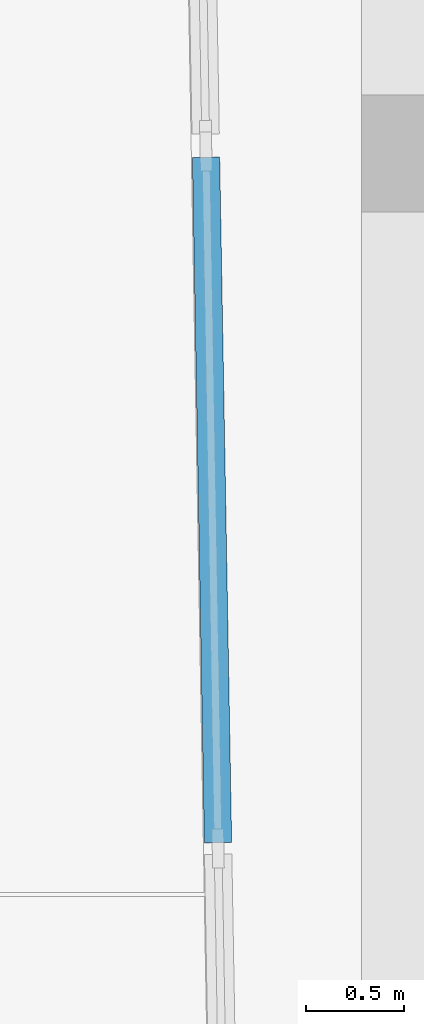
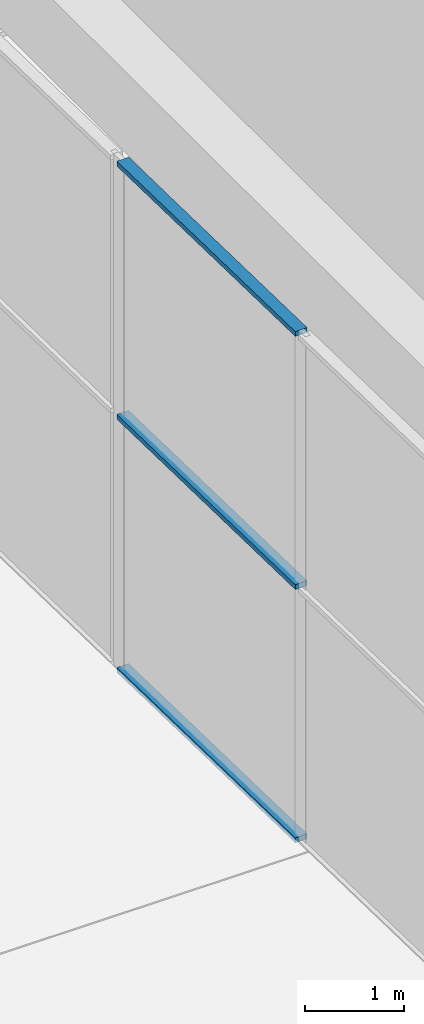
# One storey, part 3 of 24: 3 members, 1 element without a shape of its own.
"""IFC4 building model written with IfcOpenShell, lengths in metres."""

from ifc_helpers import new_model, si_unit, direction, frame, origin, origin_2d, place, context, subcontext, project, spatial, rectangle, extrude, material, material_profile, profile_set, type_object, element, aggregate, save


model = new_model("IFC4")

# Units and contexts
model_context = context("Model", 3, precision=1e-05, world=origin(), true_north=direction((0.0, 1.0)))
body_context = subcontext(model_context, "Body", "Model", "MODEL_VIEW")
ifc_project = project(units=[si_unit("LENGTHUNIT", "METRE"), si_unit("AREAUNIT", "SQUARE_METRE"), si_unit("VOLUMEUNIT", "CUBIC_METRE"), si_unit("PLANEANGLEUNIT", "RADIAN"), si_unit("MASSUNIT", "GRAM", prefix="KILO")], contexts=[model_context])

# Site, building, storey
site_placement = place(None, origin())
site = spatial("IfcSite", under=ifc_project, at=site_placement, CompositionType="ELEMENT")
building_placement = place(site_placement, origin())
building = spatial("IfcBuilding", under=site, at=building_placement, Name="Kajstack Hotel Tower", CompositionType="ELEMENT")
storey_placement = place(building_placement, frame((0.0, 0.0, 211.10009765625)))
storey = spatial("IfcBuildingStorey", under=building, at=storey_placement, Name="L51", CompositionType="ELEMENT", Elevation=211.10009765625)

# Curtain wall, members
ifc_material_1 = material(Name="Aluminium-framed curtain wall, low-iron insulated glass", Category="aluminium")
curtain_wall_type = type_object("IfcCurtainWallType", Name="CW-GARDEN", PredefinedType="NOTDEFINED", material=ifc_material_1)
curtain_wall_placement = place(storey_placement, origin())
curtain_wall = element("IfcCurtainWall", 1, at=curtain_wall_placement, inside=storey, type_object=curtain_wall_type, Name="Curtain wall CU6 L51-00-00-1", PredefinedType="NOTDEFINED")
ifc_material_2 = material(Name="Aluminium", Category="aluminium")
ifc_material_profile = material_profile(ifc_material_2, rectangle(XDim=0.139892578125, YDim=0.06005859375, at=origin_2d()), Name="Aluminium transom 140 x 60")
ifc_profile_set = profile_set([ifc_material_profile], Name="Aluminium")
member_type = type_object("IfcMemberType", Name="CW-T-GARDEN", PredefinedType="USERDEFINED", material=ifc_profile_set)
member_1_placement = place(storey_placement, frame((-37.095947265625, 10.141357421875, 0.02978515625), z_axis=(0.01745456684, -0.999847657444, 0.0), x_axis=(0.999847657444, 0.01745456684, 0.0)))
member_1 = element("IfcMember", 2, at=member_1_placement, type_object=member_type, Name="CU6 transom 1.1", ObjectType="TRANSOM", PredefinedType="USERDEFINED", context=body_context, shape_type="SweptSolid", body=[
    extrude(rectangle(XDim=0.139892578125, YDim=0.06005859375, at=origin_2d()), origin(), (0.0, 0.0, 1.0), 3.5107421875),
])
member_2_placement = place(storey_placement, frame((-37.095947265625, 10.141357421875, 3.159912109375), z_axis=(0.01745456684, -0.999847657444, 0.0), x_axis=(0.999847657444, 0.01745456684, 0.0)))
member_2 = element("IfcMember", 3, at=member_2_placement, type_object=member_type, Name="CU6 transom 1.2", ObjectType="TRANSOM", PredefinedType="USERDEFINED", context=body_context, shape_type="SweptSolid", body=[
    extrude(rectangle(XDim=0.139892578125, YDim=0.06005859375, at=origin_2d()), origin(), (0.0, 0.0, 1.0), 3.5107421875),
])
member_3_placement = place(storey_placement, frame((-37.095947265625, 10.141357421875, 6.289794921875), z_axis=(0.01745456684, -0.999847657444, 0.0), x_axis=(0.999847657444, 0.01745456684, 0.0)))
member_3 = element("IfcMember", 4, at=member_3_placement, type_object=member_type, Name="CU6 transom 1.3", ObjectType="TRANSOM", PredefinedType="USERDEFINED", context=body_context, shape_type="SweptSolid", body=[
    extrude(rectangle(XDim=0.139892578125, YDim=0.06005859375, at=origin_2d()), origin(), (0.0, 0.0, 1.0), 3.5107421875),
])
aggregate(curtain_wall, [member_1, member_2, member_3])

save(model, "model.ifc")
